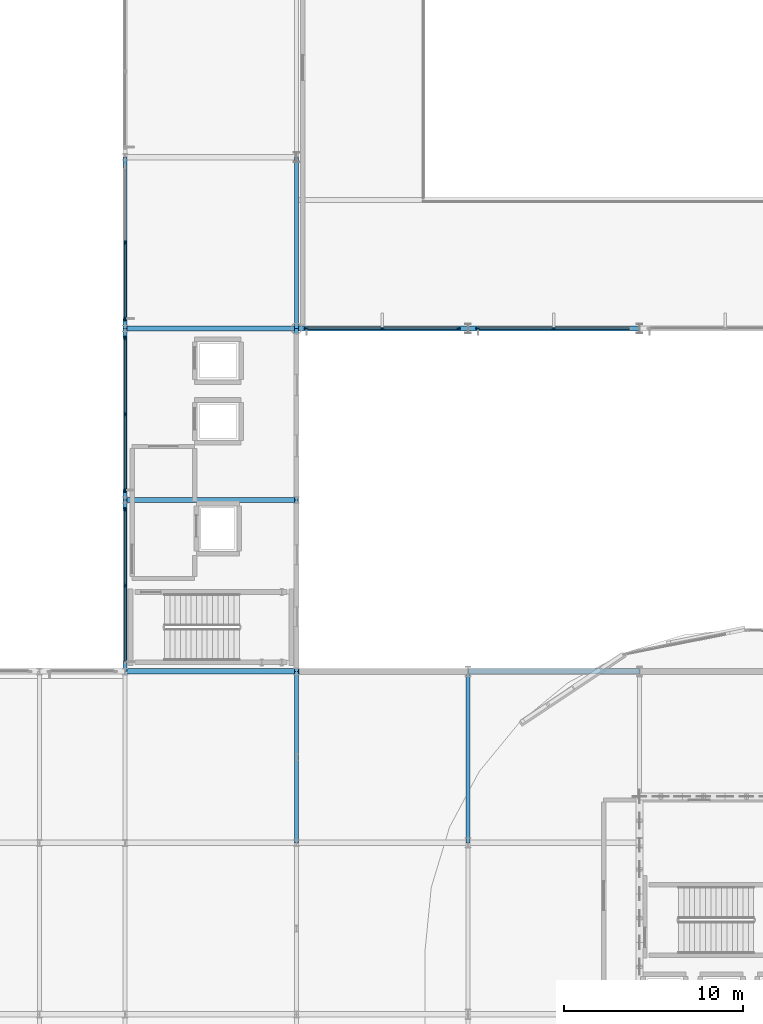
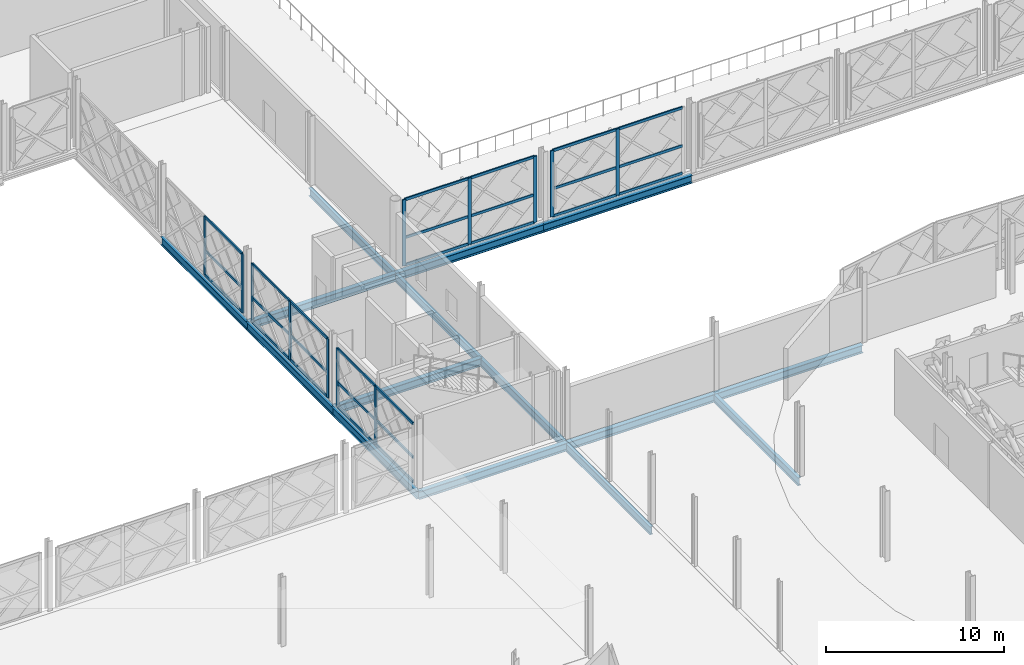
# One storey, part 26 of 77: 39 members, 15 beams, 5 elements without a shape of their own.
"""IFC4 building model written with IfcOpenShell, lengths in metres."""

from ifc_helpers import new_model, si_unit, direction, frame, origin, origin_2d, place, context, subcontext, project, spatial, rectangle, i_section, extrude, material, layer, layer_set, material_profile, profile_set, type_object, element, aggregate, save


model = new_model("IFC4")

# Units and contexts
model_context = context("Model", 3, precision=1e-05, world=origin(), true_north=direction((0.0, 1.0)))
body_context = subcontext(model_context, "Body", "Model", "MODEL_VIEW")
ifc_project = project(units=[si_unit("LENGTHUNIT", "METRE"), si_unit("AREAUNIT", "SQUARE_METRE"), si_unit("VOLUMEUNIT", "CUBIC_METRE"), si_unit("PLANEANGLEUNIT", "RADIAN"), si_unit("MASSUNIT", "GRAM", prefix="KILO")], contexts=[model_context])

# Site, building, storey
site_placement = place(None, origin())
site = spatial("IfcSite", under=ifc_project, at=site_placement, CompositionType="ELEMENT")
building_placement = place(site_placement, origin())
building = spatial("IfcBuilding", under=site, at=building_placement, Name="Zevrakil Square Congress Hotel", CompositionType="ELEMENT")
storey_placement = place(building_placement, frame((0.0, 0.0, 9.89990234375)))
storey = spatial("IfcBuildingStorey", under=building, at=storey_placement, Name="L03", CompositionType="ELEMENT", Elevation=9.89990234375)

# Beams
ifc_material_1 = material(Name="Steel S355", Category="steel")
ifc_material_profile_1 = material_profile(ifc_material_1, i_section(OverallWidth=0.300048828125, OverallDepth=0.5400390625, WebThickness=0.012451171875, FlangeThickness=0.02392578125, FilletRadius=0.027099609375, at=origin_2d()), Name="HEA 550")
ifc_profile_set_1 = profile_set([ifc_material_profile_1], Name="Steel S355")
beam_type_1 = type_object("IfcBeamType", Name="BM-HEA550", PredefinedType="BEAM", material=ifc_profile_set_1)
beam_1_placement = place(storey_placement, frame((108.0, 45.60009765625, -0.52978515625), z_axis=(1.0, 0.0, 0.0), x_axis=(0.0, 1.0, 0.0)))
element("IfcBeam", 1, at=beam_1_placement, inside=storey, type_object=beam_type_1, Name="L03 primary girder BX-1029", PredefinedType="BEAM", context=body_context, shape_type="SweptSolid", body=[
    extrude(i_section(OverallWidth=0.300048828125, OverallDepth=0.5400390625, WebThickness=0.012451171875, FlangeThickness=0.02392578125, FilletRadius=0.027099609375, at=origin_2d()), origin(), (0.0, 0.0, 1.0), 9.60009765625),
])
beam_2_placement = place(storey_placement, frame((117.60009765625, 45.60009765625, -0.52978515625), z_axis=(1.0, 0.0, 0.0), x_axis=(0.0, 1.0, 0.0)))
element("IfcBeam", 2, at=beam_2_placement, inside=storey, type_object=beam_type_1, Name="L03 primary girder BX-1030", PredefinedType="BEAM", context=body_context, shape_type="SweptSolid", body=[
    extrude(i_section(OverallWidth=0.300048828125, OverallDepth=0.5400390625, WebThickness=0.012451171875, FlangeThickness=0.02392578125, FilletRadius=0.027099609375, at=origin_2d()), origin(), (0.0, 0.0, 1.0), 9.599853515625),
])
for number, where, z_axis, x_axis, name in (
    (3, (127.199951171875, 45.60009765625, -0.52978515625), (1.0, 0.0, 0.0), (0.0, 1.0, 0.0), "L03 primary girder BX-1031"),
    (4, (108.0, 55.199951171875, -0.52978515625), (1.0, 0.0, 0.0), (0.0, 1.0, 0.0), "L03 primary girder BX-1036"),
    (5, (108.0, 64.800048828125, -0.52978515625), (1.0, 0.0, 0.0), (0.0, 1.0, 0.0), "L03 primary girder BX-1039"),
):
    element("IfcBeam", number, at=place(storey_placement, frame(where, z_axis=z_axis, x_axis=x_axis)), inside=storey, type_object=beam_type_1, Name=name, PredefinedType="BEAM", context=body_context, shape_type="SweptSolid", body=[
        extrude(i_section(OverallWidth=0.300048828125, OverallDepth=0.5400390625, WebThickness=0.012451171875, FlangeThickness=0.02392578125, FilletRadius=0.027099609375, at=origin_2d()), origin(), (0.0, 0.0, 1.0), 9.60009765625),
    ])
beam_3_placement = place(storey_placement, frame((117.60009765625, 64.800048828125, -0.52978515625), z_axis=(1.0, 0.0, 0.0), x_axis=(0.0, 1.0, 0.0)))
element("IfcBeam", 6, at=beam_3_placement, inside=storey, type_object=beam_type_1, Name="L03 primary girder BX-1040", PredefinedType="BEAM", context=body_context, shape_type="SweptSolid", body=[
    extrude(i_section(OverallWidth=0.300048828125, OverallDepth=0.5400390625, WebThickness=0.012451171875, FlangeThickness=0.02392578125, FilletRadius=0.027099609375, at=origin_2d()), origin(), (0.0, 0.0, 1.0), 9.599853515625),
])
beam_4_placement = place(storey_placement, frame((127.199951171875, 64.800048828125, -0.52978515625), z_axis=(1.0, 0.0, 0.0), x_axis=(0.0, 1.0, 0.0)))
element("IfcBeam", 7, at=beam_4_placement, inside=storey, type_object=beam_type_1, Name="L03 primary girder BX-1041", PredefinedType="BEAM", context=body_context, shape_type="SweptSolid", body=[
    extrude(i_section(OverallWidth=0.300048828125, OverallDepth=0.5400390625, WebThickness=0.012451171875, FlangeThickness=0.02392578125, FilletRadius=0.027099609375, at=origin_2d()), origin(), (0.0, 0.0, 1.0), 9.60009765625),
])
ifc_material_2 = material(Name="Steel S355", Category="steel")
ifc_material_profile_2 = material_profile(ifc_material_2, i_section(OverallWidth=0.2099609375, OverallDepth=0.550048828125, WebThickness=0.010986328125, FlangeThickness=0.01708984375, FilletRadius=0.02392578125, at=origin_2d()), Name="IPE 550")
ifc_profile_set_2 = profile_set([ifc_material_profile_2], Name="Steel S355")
beam_type_2 = type_object("IfcBeamType", Name="BM-IPE550", PredefinedType="BEAM", material=ifc_profile_set_2)
beam_5_placement = place(storey_placement, frame((108.0, 45.60009765625, -0.534912109375), z_axis=(0.0, 1.0, 0.0), x_axis=(-1.0, 0.0, 0.0)))
element("IfcBeam", 8, at=beam_5_placement, inside=storey, type_object=beam_type_2, Name="L03 primary girder BY-1154", PredefinedType="BEAM", context=body_context, shape_type="SweptSolid", body=[
    extrude(i_section(OverallWidth=0.2099609375, OverallDepth=0.550048828125, WebThickness=0.010986328125, FlangeThickness=0.01708984375, FilletRadius=0.02392578125, at=origin_2d()), origin(), (0.0, 0.0, 1.0), 9.599853515625),
])
beam_6_placement = place(storey_placement, frame((108.0, 55.199951171875, -0.534912109375), z_axis=(0.0, 1.0, 0.0), x_axis=(-1.0, 0.0, 0.0)))
element("IfcBeam", 9, at=beam_6_placement, inside=storey, type_object=beam_type_2, Name="L03 primary girder BY-1155", PredefinedType="BEAM", context=body_context, shape_type="SweptSolid", body=[
    extrude(i_section(OverallWidth=0.2099609375, OverallDepth=0.550048828125, WebThickness=0.010986328125, FlangeThickness=0.01708984375, FilletRadius=0.02392578125, at=origin_2d()), origin(), (0.0, 0.0, 1.0), 9.60009765625),
])
beam_7_placement = place(storey_placement, frame((108.0, 64.800048828125, -0.534912109375), z_axis=(0.0, 1.0, 0.0), x_axis=(-1.0, 0.0, 0.0)))
element("IfcBeam", 10, at=beam_7_placement, inside=storey, type_object=beam_type_2, Name="L03 primary girder BY-1156", PredefinedType="BEAM", context=body_context, shape_type="SweptSolid", body=[
    extrude(i_section(OverallWidth=0.2099609375, OverallDepth=0.550048828125, WebThickness=0.010986328125, FlangeThickness=0.01708984375, FilletRadius=0.02392578125, at=origin_2d()), origin(), (0.0, 0.0, 1.0), 9.599853515625),
])
beam_8_placement = place(storey_placement, frame((117.60009765625, 36.0, -0.534912109375), z_axis=(0.0, 1.0, 0.0), x_axis=(-1.0, 0.0, 0.0)))
element("IfcBeam", 11, at=beam_8_placement, inside=storey, type_object=beam_type_2, Name="L03 primary girder BY-1164", PredefinedType="BEAM", context=body_context, shape_type="SweptSolid", body=[
    extrude(i_section(OverallWidth=0.2099609375, OverallDepth=0.550048828125, WebThickness=0.010986328125, FlangeThickness=0.01708984375, FilletRadius=0.02392578125, at=origin_2d()), origin(), (0.0, 0.0, 1.0), 9.60009765625),
])
beam_9_placement = place(storey_placement, frame((117.60009765625, 45.60009765625, -0.534912109375), z_axis=(0.0, 1.0, 0.0), x_axis=(-1.0, 0.0, 0.0)))
element("IfcBeam", 12, at=beam_9_placement, inside=storey, type_object=beam_type_2, Name="L03 primary girder BY-1165", PredefinedType="BEAM", context=body_context, shape_type="SweptSolid", body=[
    extrude(i_section(OverallWidth=0.2099609375, OverallDepth=0.550048828125, WebThickness=0.010986328125, FlangeThickness=0.01708984375, FilletRadius=0.02392578125, at=origin_2d()), origin(), (0.0, 0.0, 1.0), 9.599853515625),
])
beam_10_placement = place(storey_placement, frame((117.60009765625, 55.199951171875, -0.534912109375), z_axis=(0.0, 1.0, 0.0), x_axis=(-1.0, 0.0, 0.0)))
element("IfcBeam", 13, at=beam_10_placement, inside=storey, type_object=beam_type_2, Name="L03 primary girder BY-1166", PredefinedType="BEAM", context=body_context, shape_type="SweptSolid", body=[
    extrude(i_section(OverallWidth=0.2099609375, OverallDepth=0.550048828125, WebThickness=0.010986328125, FlangeThickness=0.01708984375, FilletRadius=0.02392578125, at=origin_2d()), origin(), (0.0, 0.0, 1.0), 9.60009765625),
])
beam_11_placement = place(storey_placement, frame((117.60009765625, 64.800048828125, -0.534912109375), z_axis=(0.0, 1.0, 0.0), x_axis=(-1.0, 0.0, 0.0)))
element("IfcBeam", 14, at=beam_11_placement, inside=storey, type_object=beam_type_2, Name="L03 primary girder BY-1167", PredefinedType="BEAM", context=body_context, shape_type="SweptSolid", body=[
    extrude(i_section(OverallWidth=0.2099609375, OverallDepth=0.550048828125, WebThickness=0.010986328125, FlangeThickness=0.01708984375, FilletRadius=0.02392578125, at=origin_2d()), origin(), (0.0, 0.0, 1.0), 9.599853515625),
])
beam_12_placement = place(storey_placement, frame((127.199951171875, 36.0, -0.534912109375), z_axis=(0.0, 1.0, 0.0), x_axis=(-1.0, 0.0, 0.0)))
element("IfcBeam", 15, at=beam_12_placement, inside=storey, type_object=beam_type_2, Name="L03 primary girder BY-1175", PredefinedType="BEAM", context=body_context, shape_type="SweptSolid", body=[
    extrude(i_section(OverallWidth=0.2099609375, OverallDepth=0.550048828125, WebThickness=0.010986328125, FlangeThickness=0.01708984375, FilletRadius=0.02392578125, at=origin_2d()), origin(), (0.0, 0.0, 1.0), 9.60009765625),
])

# Curtain wall, members
ifc_material_3 = material(Name="Aluminium Anodised Bronze", Category="aluminium")
ifc_layer = layer(ifc_material_3, 0.179931640625)
ifc_layer_set = layer_set([ifc_layer], Name="Aluminium Anodised Bronze")
curtain_wall_type = type_object("IfcCurtainWallType", Name="CW-L03-840", PredefinedType="USERDEFINED", material=ifc_layer_set)
curtain_wall_1_placement = place(storey_placement, origin())
curtain_wall_1 = element("IfcCurtainWall", 16, at=curtain_wall_1_placement, inside=storey, type_object=curtain_wall_type, Name="L03 diamond curtain wall CW-L03-0058", ObjectType="GLAZED CURTAIN WALL", PredefinedType="USERDEFINED")
ifc_material_4 = material(Name="Aluminium Anodised Bronze", Category="aluminium")
ifc_material_profile_3 = material_profile(ifc_material_4, rectangle(XDim=0.0849609375, YDim=0.179931640625, at=origin_2d()), Name="ALU 85x180")
ifc_profile_set_3 = profile_set([ifc_material_profile_3], Name="Aluminium Anodised Bronze")
member_type_1 = type_object("IfcMemberType", Name="CWM-ALU85x180", PredefinedType="USERDEFINED", material=ifc_profile_set_3)
member_1_placement = place(storey_placement, frame((118.179931640625, 64.800048828125, 0.030029296875), z_axis=(1.0, 0.0, 0.0), x_axis=(0.0, 1.0, 0.0)))
member_1 = element("IfcMember", 17, at=member_1_placement, type_object=member_type_1, Name="CW-35 transom 1.1", ObjectType="TRANSOM", PredefinedType="USERDEFINED", context=body_context, shape_type="SweptSolid", body=[
    extrude(rectangle(XDim=0.0849609375, YDim=0.179931640625, at=origin_2d()), origin(), (0.0, 0.0, 1.0), 4.190185546875),
])
member_2_placement = place(storey_placement, frame((118.179931640625, 64.800048828125, 1.906982421875), z_axis=(1.0, 0.0, 0.0), x_axis=(0.0, 1.0, 0.0)))
member_2 = element("IfcMember", 18, at=member_2_placement, type_object=member_type_1, Name="CW-35 transom 1.2", ObjectType="TRANSOM", PredefinedType="USERDEFINED", context=body_context, shape_type="SweptSolid", body=[
    extrude(rectangle(XDim=0.0849609375, YDim=0.179931640625, at=origin_2d()), origin(), (0.0, 0.0, 1.0), 4.190185546875),
])
member_3_placement = place(storey_placement, frame((118.179931640625, 64.800048828125, 4.510009765625), z_axis=(1.0, 0.0, 0.0), x_axis=(0.0, 1.0, 0.0)))
member_3 = element("IfcMember", 19, at=member_3_placement, type_object=member_type_1, Name="CW-35 transom 1.3", ObjectType="TRANSOM", PredefinedType="USERDEFINED", context=body_context, shape_type="SweptSolid", body=[
    extrude(rectangle(XDim=0.0849609375, YDim=0.179931640625, at=origin_2d()), origin(), (0.0, 0.0, 1.0), 4.190185546875),
])
member_4_placement = place(storey_placement, frame((122.429931640625, 64.800048828125, 0.030029296875), z_axis=(1.0, 0.0, 0.0), x_axis=(0.0, 1.0, 0.0)))
member_4 = element("IfcMember", 20, at=member_4_placement, type_object=member_type_1, Name="CW-35 transom 2.1", ObjectType="TRANSOM", PredefinedType="USERDEFINED", context=body_context, shape_type="SweptSolid", body=[
    extrude(rectangle(XDim=0.0849609375, YDim=0.179931640625, at=origin_2d()), origin(), (0.0, 0.0, 1.0), 4.190185546875),
])
member_5_placement = place(storey_placement, frame((122.429931640625, 64.800048828125, 1.906982421875), z_axis=(1.0, 0.0, 0.0), x_axis=(0.0, 1.0, 0.0)))
member_5 = element("IfcMember", 21, at=member_5_placement, type_object=member_type_1, Name="CW-35 transom 2.2", ObjectType="TRANSOM", PredefinedType="USERDEFINED", context=body_context, shape_type="SweptSolid", body=[
    extrude(rectangle(XDim=0.0849609375, YDim=0.179931640625, at=origin_2d()), origin(), (0.0, 0.0, 1.0), 4.190185546875),
])
member_6_placement = place(storey_placement, frame((122.429931640625, 64.800048828125, 4.510009765625), z_axis=(1.0, 0.0, 0.0), x_axis=(0.0, 1.0, 0.0)))
member_6 = element("IfcMember", 22, at=member_6_placement, type_object=member_type_1, Name="CW-35 transom 2.3", ObjectType="TRANSOM", PredefinedType="USERDEFINED", context=body_context, shape_type="SweptSolid", body=[
    extrude(rectangle(XDim=0.0849609375, YDim=0.179931640625, at=origin_2d()), origin(), (0.0, 0.0, 1.0), 4.190185546875),
])

curtain_wall_2_placement = place(storey_placement, origin())
curtain_wall_2 = element("IfcCurtainWall", 23, at=curtain_wall_2_placement, inside=storey, type_object=curtain_wall_type, Name="L03 diamond curtain wall CW-L03-0060", ObjectType="GLAZED CURTAIN WALL", PredefinedType="USERDEFINED")
member_7_placement = place(storey_placement, frame((127.780029296875, 64.800048828125, 0.030029296875), z_axis=(1.0, 0.0, 0.0), x_axis=(0.0, 1.0, 0.0)))
member_7 = element("IfcMember", 24, at=member_7_placement, type_object=member_type_1, Name="CW-35 transom 1.1", ObjectType="TRANSOM", PredefinedType="USERDEFINED", context=body_context, shape_type="SweptSolid", body=[
    extrude(rectangle(XDim=0.0849609375, YDim=0.179931640625, at=origin_2d()), origin(), (0.0, 0.0, 1.0), 4.18994140625),
])
member_8_placement = place(storey_placement, frame((127.780029296875, 64.800048828125, 1.906982421875), z_axis=(1.0, 0.0, 0.0), x_axis=(0.0, 1.0, 0.0)))
member_8 = element("IfcMember", 25, at=member_8_placement, type_object=member_type_1, Name="CW-35 transom 1.2", ObjectType="TRANSOM", PredefinedType="USERDEFINED", context=body_context, shape_type="SweptSolid", body=[
    extrude(rectangle(XDim=0.0849609375, YDim=0.179931640625, at=origin_2d()), origin(), (0.0, 0.0, 1.0), 4.18994140625),
])
member_9_placement = place(storey_placement, frame((127.780029296875, 64.800048828125, 4.510009765625), z_axis=(1.0, 0.0, 0.0), x_axis=(0.0, 1.0, 0.0)))
member_9 = element("IfcMember", 26, at=member_9_placement, type_object=member_type_1, Name="CW-35 transom 1.3", ObjectType="TRANSOM", PredefinedType="USERDEFINED", context=body_context, shape_type="SweptSolid", body=[
    extrude(rectangle(XDim=0.0849609375, YDim=0.179931640625, at=origin_2d()), origin(), (0.0, 0.0, 1.0), 4.18994140625),
])
member_10_placement = place(storey_placement, frame((132.030029296875, 64.800048828125, 0.030029296875), z_axis=(1.0, 0.0, 0.0), x_axis=(0.0, 1.0, 0.0)))
member_10 = element("IfcMember", 27, at=member_10_placement, type_object=member_type_1, Name="CW-35 transom 2.1", ObjectType="TRANSOM", PredefinedType="USERDEFINED", context=body_context, shape_type="SweptSolid", body=[
    extrude(rectangle(XDim=0.0849609375, YDim=0.179931640625, at=origin_2d()), origin(), (0.0, 0.0, 1.0), 4.18994140625),
])
member_11_placement = place(storey_placement, frame((132.030029296875, 64.800048828125, 1.906982421875), z_axis=(1.0, 0.0, 0.0), x_axis=(0.0, 1.0, 0.0)))
member_11 = element("IfcMember", 28, at=member_11_placement, type_object=member_type_1, Name="CW-35 transom 2.2", ObjectType="TRANSOM", PredefinedType="USERDEFINED", context=body_context, shape_type="SweptSolid", body=[
    extrude(rectangle(XDim=0.0849609375, YDim=0.179931640625, at=origin_2d()), origin(), (0.0, 0.0, 1.0), 4.18994140625),
])
member_12_placement = place(storey_placement, frame((132.030029296875, 64.800048828125, 4.510009765625), z_axis=(1.0, 0.0, 0.0), x_axis=(0.0, 1.0, 0.0)))
member_12 = element("IfcMember", 29, at=member_12_placement, type_object=member_type_1, Name="CW-35 transom 2.3", ObjectType="TRANSOM", PredefinedType="USERDEFINED", context=body_context, shape_type="SweptSolid", body=[
    extrude(rectangle(XDim=0.0849609375, YDim=0.179931640625, at=origin_2d()), origin(), (0.0, 0.0, 1.0), 4.18994140625),
])

curtain_wall_3_placement = place(storey_placement, origin())
curtain_wall_3 = element("IfcCurtainWall", 30, at=curtain_wall_3_placement, inside=storey, type_object=curtain_wall_type, Name="L03 diamond curtain wall CW-L03-0124", ObjectType="GLAZED CURTAIN WALL", PredefinedType="USERDEFINED")
member_13_placement = place(storey_placement, frame((108.0, 46.179931640625, 0.030029296875), z_axis=(0.0, 1.0, 0.0), x_axis=(-1.0, 0.0, 0.0)))
member_13 = element("IfcMember", 31, at=member_13_placement, type_object=member_type_1, Name="CW-35 transom 1.1", ObjectType="TRANSOM", PredefinedType="USERDEFINED", context=body_context, shape_type="SweptSolid", body=[
    extrude(rectangle(XDim=0.0849609375, YDim=0.179931640625, at=origin_2d()), origin(), (0.0, 0.0, 1.0), 4.190185546875),
])
member_14_placement = place(storey_placement, frame((108.0, 46.179931640625, 1.690673828125), z_axis=(0.0, 1.0, 0.0), x_axis=(-1.0, 0.0, 0.0)))
member_14 = element("IfcMember", 32, at=member_14_placement, type_object=member_type_1, Name="CW-35 transom 1.2", ObjectType="TRANSOM", PredefinedType="USERDEFINED", context=body_context, shape_type="SweptSolid", body=[
    extrude(rectangle(XDim=0.0849609375, YDim=0.179931640625, at=origin_2d()), origin(), (0.0, 0.0, 1.0), 4.190185546875),
])
member_15_placement = place(storey_placement, frame((108.0, 46.179931640625, 3.9951171875), z_axis=(0.0, 1.0, 0.0), x_axis=(-1.0, 0.0, 0.0)))
member_15 = element("IfcMember", 33, at=member_15_placement, type_object=member_type_1, Name="CW-35 transom 1.3", ObjectType="TRANSOM", PredefinedType="USERDEFINED", context=body_context, shape_type="SweptSolid", body=[
    extrude(rectangle(XDim=0.0849609375, YDim=0.179931640625, at=origin_2d()), origin(), (0.0, 0.0, 1.0), 4.190185546875),
])
member_16_placement = place(storey_placement, frame((108.0, 50.429931640625, 0.030029296875), z_axis=(0.0, 1.0, 0.0), x_axis=(-1.0, 0.0, 0.0)))
member_16 = element("IfcMember", 34, at=member_16_placement, type_object=member_type_1, Name="CW-35 transom 2.1", ObjectType="TRANSOM", PredefinedType="USERDEFINED", context=body_context, shape_type="SweptSolid", body=[
    extrude(rectangle(XDim=0.0849609375, YDim=0.179931640625, at=origin_2d()), origin(), (0.0, 0.0, 1.0), 4.190185546875),
])
member_17_placement = place(storey_placement, frame((108.0, 50.429931640625, 1.690673828125), z_axis=(0.0, 1.0, 0.0), x_axis=(-1.0, 0.0, 0.0)))
member_17 = element("IfcMember", 35, at=member_17_placement, type_object=member_type_1, Name="CW-35 transom 2.2", ObjectType="TRANSOM", PredefinedType="USERDEFINED", context=body_context, shape_type="SweptSolid", body=[
    extrude(rectangle(XDim=0.0849609375, YDim=0.179931640625, at=origin_2d()), origin(), (0.0, 0.0, 1.0), 4.190185546875),
])
member_18_placement = place(storey_placement, frame((108.0, 50.429931640625, 3.9951171875), z_axis=(0.0, 1.0, 0.0), x_axis=(-1.0, 0.0, 0.0)))
member_18 = element("IfcMember", 36, at=member_18_placement, type_object=member_type_1, Name="CW-35 transom 2.3", ObjectType="TRANSOM", PredefinedType="USERDEFINED", context=body_context, shape_type="SweptSolid", body=[
    extrude(rectangle(XDim=0.0849609375, YDim=0.179931640625, at=origin_2d()), origin(), (0.0, 0.0, 1.0), 4.190185546875),
])

curtain_wall_4_placement = place(storey_placement, origin())
curtain_wall_4 = element("IfcCurtainWall", 37, at=curtain_wall_4_placement, inside=storey, type_object=curtain_wall_type, Name="L03 diamond curtain wall CW-L03-0130", ObjectType="GLAZED CURTAIN WALL", PredefinedType="USERDEFINED")
member_19_placement = place(storey_placement, frame((108.0, 55.780029296875, 0.030029296875), z_axis=(0.0, 1.0, 0.0), x_axis=(-1.0, 0.0, 0.0)))
member_19 = element("IfcMember", 38, at=member_19_placement, type_object=member_type_1, Name="CW-35 transom 1.1", ObjectType="TRANSOM", PredefinedType="USERDEFINED", context=body_context, shape_type="SweptSolid", body=[
    extrude(rectangle(XDim=0.0849609375, YDim=0.179931640625, at=origin_2d()), origin(), (0.0, 0.0, 1.0), 4.18994140625),
])
member_20_placement = place(storey_placement, frame((108.0, 55.780029296875, 1.690673828125), z_axis=(0.0, 1.0, 0.0), x_axis=(-1.0, 0.0, 0.0)))
member_20 = element("IfcMember", 39, at=member_20_placement, type_object=member_type_1, Name="CW-35 transom 1.2", ObjectType="TRANSOM", PredefinedType="USERDEFINED", context=body_context, shape_type="SweptSolid", body=[
    extrude(rectangle(XDim=0.0849609375, YDim=0.179931640625, at=origin_2d()), origin(), (0.0, 0.0, 1.0), 4.18994140625),
])
member_21_placement = place(storey_placement, frame((108.0, 55.780029296875, 3.9951171875), z_axis=(0.0, 1.0, 0.0), x_axis=(-1.0, 0.0, 0.0)))
member_21 = element("IfcMember", 40, at=member_21_placement, type_object=member_type_1, Name="CW-35 transom 1.3", ObjectType="TRANSOM", PredefinedType="USERDEFINED", context=body_context, shape_type="SweptSolid", body=[
    extrude(rectangle(XDim=0.0849609375, YDim=0.179931640625, at=origin_2d()), origin(), (0.0, 0.0, 1.0), 4.18994140625),
])
member_22_placement = place(storey_placement, frame((108.0, 60.030029296875, 0.030029296875), z_axis=(0.0, 1.0, 0.0), x_axis=(-1.0, 0.0, 0.0)))
member_22 = element("IfcMember", 41, at=member_22_placement, type_object=member_type_1, Name="CW-35 transom 2.1", ObjectType="TRANSOM", PredefinedType="USERDEFINED", context=body_context, shape_type="SweptSolid", body=[
    extrude(rectangle(XDim=0.0849609375, YDim=0.179931640625, at=origin_2d()), origin(), (0.0, 0.0, 1.0), 4.18994140625),
])
member_23_placement = place(storey_placement, frame((108.0, 60.030029296875, 1.690673828125), z_axis=(0.0, 1.0, 0.0), x_axis=(-1.0, 0.0, 0.0)))
member_23 = element("IfcMember", 42, at=member_23_placement, type_object=member_type_1, Name="CW-35 transom 2.2", ObjectType="TRANSOM", PredefinedType="USERDEFINED", context=body_context, shape_type="SweptSolid", body=[
    extrude(rectangle(XDim=0.0849609375, YDim=0.179931640625, at=origin_2d()), origin(), (0.0, 0.0, 1.0), 4.18994140625),
])
member_24_placement = place(storey_placement, frame((108.0, 60.030029296875, 3.9951171875), z_axis=(0.0, 1.0, 0.0), x_axis=(-1.0, 0.0, 0.0)))
member_24 = element("IfcMember", 43, at=member_24_placement, type_object=member_type_1, Name="CW-35 transom 2.3", ObjectType="TRANSOM", PredefinedType="USERDEFINED", context=body_context, shape_type="SweptSolid", body=[
    extrude(rectangle(XDim=0.0849609375, YDim=0.179931640625, at=origin_2d()), origin(), (0.0, 0.0, 1.0), 4.18994140625),
])

curtain_wall_5_placement = place(storey_placement, origin())
curtain_wall_5 = element("IfcCurtainWall", 44, at=curtain_wall_5_placement, inside=storey, type_object=curtain_wall_type, Name="L03 diamond curtain wall CW-L03-0136", ObjectType="GLAZED CURTAIN WALL", PredefinedType="USERDEFINED")
member_25_placement = place(storey_placement, frame((108.0, 65.3798828125, 0.030029296875), z_axis=(0.0, 1.0, 0.0), x_axis=(-1.0, 0.0, 0.0)))
member_25 = element("IfcMember", 45, at=member_25_placement, type_object=member_type_1, Name="CW-35 transom 1.1", ObjectType="TRANSOM", PredefinedType="USERDEFINED", context=body_context, shape_type="SweptSolid", body=[
    extrude(rectangle(XDim=0.0849609375, YDim=0.179931640625, at=origin_2d()), origin(), (0.0, 0.0, 1.0), 4.190185546875),
])
member_26_placement = place(storey_placement, frame((108.0, 65.3798828125, 1.690673828125), z_axis=(0.0, 1.0, 0.0), x_axis=(-1.0, 0.0, 0.0)))
member_26 = element("IfcMember", 46, at=member_26_placement, type_object=member_type_1, Name="CW-35 transom 1.2", ObjectType="TRANSOM", PredefinedType="USERDEFINED", context=body_context, shape_type="SweptSolid", body=[
    extrude(rectangle(XDim=0.0849609375, YDim=0.179931640625, at=origin_2d()), origin(), (0.0, 0.0, 1.0), 4.190185546875),
])
member_27_placement = place(storey_placement, frame((108.0, 65.3798828125, 3.9951171875), z_axis=(0.0, 1.0, 0.0), x_axis=(-1.0, 0.0, 0.0)))
member_27 = element("IfcMember", 47, at=member_27_placement, type_object=member_type_1, Name="CW-35 transom 1.3", ObjectType="TRANSOM", PredefinedType="USERDEFINED", context=body_context, shape_type="SweptSolid", body=[
    extrude(rectangle(XDim=0.0849609375, YDim=0.179931640625, at=origin_2d()), origin(), (0.0, 0.0, 1.0), 4.190185546875),
])

# Member
ifc_material_5 = material(Name="Aluminium Anodised Bronze", Category="aluminium")
ifc_material_profile_4 = material_profile(ifc_material_5, rectangle(XDim=0.0849609375, YDim=0.219970703125, at=origin_2d()), Name="ALU 85x220")
ifc_profile_set_4 = profile_set([ifc_material_profile_4], Name="Aluminium Anodised Bronze")
member_type_2 = type_object("IfcMemberType", Name="CWM-ALU85x220", PredefinedType="MULLION", material=ifc_profile_set_4)
member_28_placement = place(storey_placement, frame((118.14990234375, 64.800048828125, 0.0), z_axis=(0.0, 0.0, 1.0), x_axis=(0.0, 1.0, 0.0)))
member_28 = element("IfcMember", 48, at=member_28_placement, type_object=member_type_2, Name="CW-35 mullion 1", PredefinedType="MULLION", context=body_context, shape_type="SweptSolid", body=[
    extrude(rectangle(XDim=0.0849609375, YDim=0.219970703125, at=origin_2d()), origin(), (0.0, 0.0, 1.0), 4.5400390625),
])

member_29_placement = place(storey_placement, frame((122.39990234375, 64.800048828125, 0.0), z_axis=(0.0, 0.0, 1.0), x_axis=(0.0, 1.0, 0.0)))
member_29 = element("IfcMember", 49, at=member_29_placement, type_object=member_type_2, Name="CW-35 mullion 2", PredefinedType="MULLION", context=body_context, shape_type="SweptSolid", body=[
    extrude(rectangle(XDim=0.0849609375, YDim=0.219970703125, at=origin_2d()), origin(), (0.0, 0.0, 1.0), 4.5400390625),
])

member_30_placement = place(storey_placement, frame((126.64990234375, 64.800048828125, 0.0), z_axis=(0.0, 0.0, 1.0), x_axis=(0.0, 1.0, 0.0)))
member_30 = element("IfcMember", 50, at=member_30_placement, type_object=member_type_2, Name="CW-35 mullion 3", PredefinedType="MULLION", context=body_context, shape_type="SweptSolid", body=[
    extrude(rectangle(XDim=0.0849609375, YDim=0.219970703125, at=origin_2d()), origin(), (0.0, 0.0, 1.0), 4.5400390625),
])

aggregate(curtain_wall_1, [member_28, member_29, member_30, member_1, member_2, member_3, member_4, member_5, member_6])

member_31_placement = place(storey_placement, frame((127.75, 64.800048828125, 0.0), z_axis=(0.0, 0.0, 1.0), x_axis=(0.0, 1.0, 0.0)))
member_31 = element("IfcMember", 51, at=member_31_placement, type_object=member_type_2, Name="CW-35 mullion 1", PredefinedType="MULLION", context=body_context, shape_type="SweptSolid", body=[
    extrude(rectangle(XDim=0.0849609375, YDim=0.219970703125, at=origin_2d()), origin(), (0.0, 0.0, 1.0), 4.5400390625),
])

member_32_placement = place(storey_placement, frame((132.0, 64.800048828125, 0.0), z_axis=(0.0, 0.0, 1.0), x_axis=(0.0, 1.0, 0.0)))
member_32 = element("IfcMember", 52, at=member_32_placement, type_object=member_type_2, Name="CW-35 mullion 2", PredefinedType="MULLION", context=body_context, shape_type="SweptSolid", body=[
    extrude(rectangle(XDim=0.0849609375, YDim=0.219970703125, at=origin_2d()), origin(), (0.0, 0.0, 1.0), 4.5400390625),
])

aggregate(curtain_wall_2, [member_31, member_32, member_7, member_8, member_9, member_10, member_11, member_12])

member_33_placement = place(storey_placement, frame((108.0, 50.39990234375, 0.0), z_axis=(0.0, 0.0, 1.0), x_axis=(-1.0, 0.0, 0.0)))
member_33 = element("IfcMember", 53, at=member_33_placement, type_object=member_type_2, Name="CW-35 mullion 2", PredefinedType="MULLION", context=body_context, shape_type="SweptSolid", body=[
    extrude(rectangle(XDim=0.0849609375, YDim=0.219970703125, at=origin_2d()), origin(), (0.0, 0.0, 1.0), 4.025146484375),
])

member_34_placement = place(storey_placement, frame((108.0, 54.64990234375, 0.0), z_axis=(0.0, 0.0, 1.0), x_axis=(-1.0, 0.0, 0.0)))
member_34 = element("IfcMember", 54, at=member_34_placement, type_object=member_type_2, Name="CW-35 mullion 3", PredefinedType="MULLION", context=body_context, shape_type="SweptSolid", body=[
    extrude(rectangle(XDim=0.0849609375, YDim=0.219970703125, at=origin_2d()), origin(), (0.0, 0.0, 1.0), 4.025146484375),
])

aggregate(curtain_wall_3, [member_33, member_34, member_13, member_14, member_15, member_16, member_17, member_18])

member_35_placement = place(storey_placement, frame((108.0, 55.75, 0.0), z_axis=(0.0, 0.0, 1.0), x_axis=(-1.0, 0.0, 0.0)))
member_35 = element("IfcMember", 55, at=member_35_placement, type_object=member_type_2, Name="CW-35 mullion 1", PredefinedType="MULLION", context=body_context, shape_type="SweptSolid", body=[
    extrude(rectangle(XDim=0.0849609375, YDim=0.219970703125, at=origin_2d()), origin(), (0.0, 0.0, 1.0), 4.025146484375),
])

member_36_placement = place(storey_placement, frame((108.0, 60.0, 0.0), z_axis=(0.0, 0.0, 1.0), x_axis=(-1.0, 0.0, 0.0)))
member_36 = element("IfcMember", 56, at=member_36_placement, type_object=member_type_2, Name="CW-35 mullion 2", PredefinedType="MULLION", context=body_context, shape_type="SweptSolid", body=[
    extrude(rectangle(XDim=0.0849609375, YDim=0.219970703125, at=origin_2d()), origin(), (0.0, 0.0, 1.0), 4.025146484375),
])

member_37_placement = place(storey_placement, frame((108.0, 64.25, 0.0), z_axis=(0.0, 0.0, 1.0), x_axis=(-1.0, 0.0, 0.0)))
member_37 = element("IfcMember", 57, at=member_37_placement, type_object=member_type_2, Name="CW-35 mullion 3", PredefinedType="MULLION", context=body_context, shape_type="SweptSolid", body=[
    extrude(rectangle(XDim=0.0849609375, YDim=0.219970703125, at=origin_2d()), origin(), (0.0, 0.0, 1.0), 4.025146484375),
])

aggregate(curtain_wall_4, [member_35, member_36, member_37, member_19, member_20, member_21, member_22, member_23, member_24])

member_38_placement = place(storey_placement, frame((108.0, 65.35009765625, 0.0), z_axis=(0.0, 0.0, 1.0), x_axis=(-1.0, 0.0, 0.0)))
member_38 = element("IfcMember", 58, at=member_38_placement, type_object=member_type_2, Name="CW-35 mullion 1", PredefinedType="MULLION", context=body_context, shape_type="SweptSolid", body=[
    extrude(rectangle(XDim=0.0849609375, YDim=0.219970703125, at=origin_2d()), origin(), (0.0, 0.0, 1.0), 4.025146484375),
])

member_39_placement = place(storey_placement, frame((108.0, 69.60009765625, 0.0), z_axis=(0.0, 0.0, 1.0), x_axis=(-1.0, 0.0, 0.0)))
member_39 = element("IfcMember", 59, at=member_39_placement, type_object=member_type_2, Name="CW-35 mullion 2", PredefinedType="MULLION", context=body_context, shape_type="SweptSolid", body=[
    extrude(rectangle(XDim=0.0849609375, YDim=0.219970703125, at=origin_2d()), origin(), (0.0, 0.0, 1.0), 4.025146484375),
])

aggregate(curtain_wall_5, [member_38, member_39, member_25, member_26, member_27])

save(model, "model.ifc")
